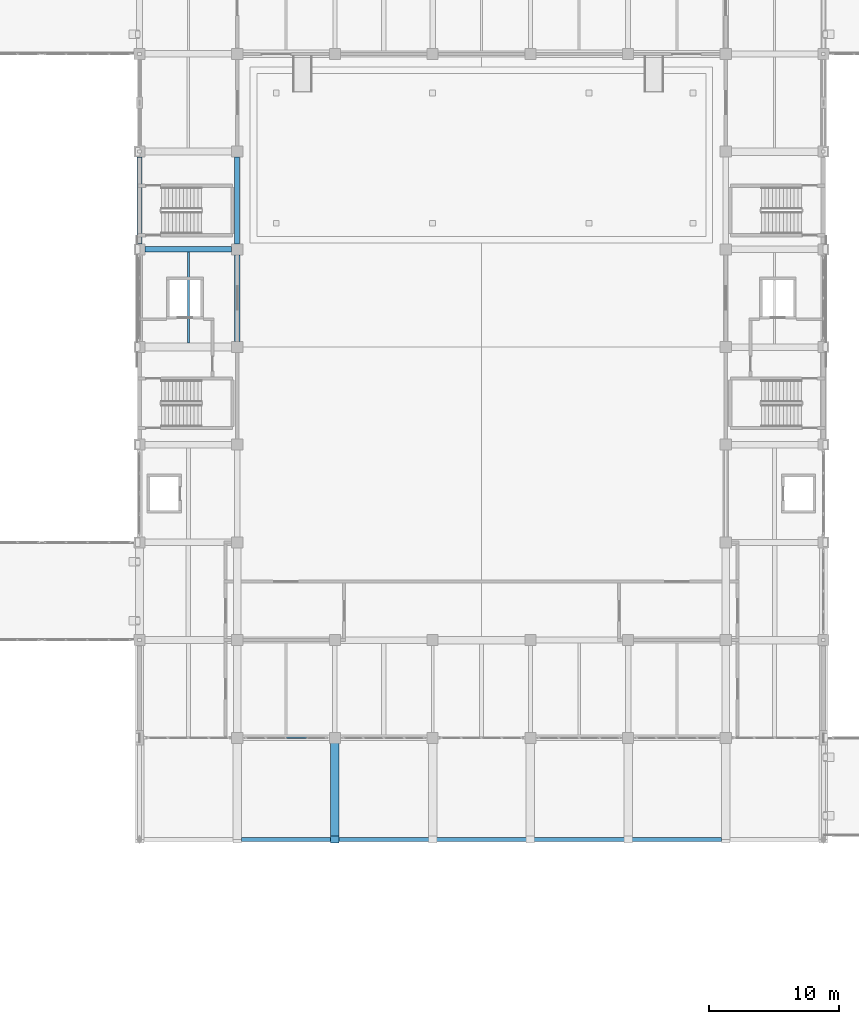
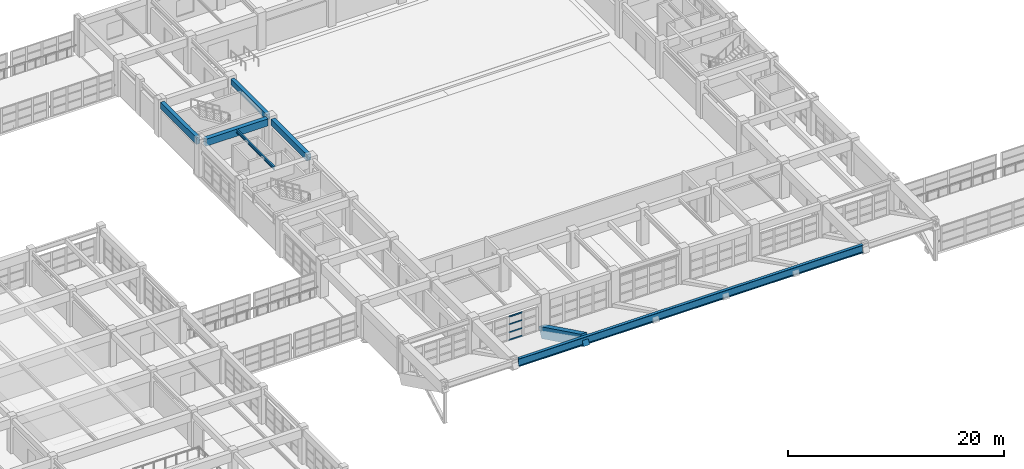
# One storey, part 29 of 132: 7 beams, 4 members, 1 element without a shape of its own.
"""IFC4 building model written with IfcOpenShell, lengths in metres."""

from ifc_helpers import new_model, si_unit, direction, frame, origin, origin_2d, place, context, subcontext, project, spatial, rectangle, hollow_rectangle, i_section, extrude, material, material_profile, profile_set, type_object, element, aggregate, save


model = new_model("IFC4")

# Units and contexts
model_context = context("Model", 3, precision=1e-05, world=origin(), true_north=direction((0.0, 1.0)))
body_context = subcontext(model_context, "Body", "Model", "MODEL_VIEW")
ifc_project = project(units=[si_unit("LENGTHUNIT", "METRE"), si_unit("AREAUNIT", "SQUARE_METRE"), si_unit("VOLUMEUNIT", "CUBIC_METRE"), si_unit("PLANEANGLEUNIT", "RADIAN"), si_unit("MASSUNIT", "GRAM", prefix="KILO")], contexts=[model_context])

# Site, building, storey
site_placement = place(None, origin())
site = spatial("IfcSite", under=ifc_project, at=site_placement, CompositionType="ELEMENT")
building_placement = place(site_placement, origin())
building = spatial("IfcBuilding", under=site, at=building_placement, Name="Qasida Concert Hall", CompositionType="ELEMENT")
storey_placement = place(building_placement, frame((0.0, 0.0, 4.800048828125)))
storey = spatial("IfcBuildingStorey", under=building, at=storey_placement, Name="L01", CompositionType="ELEMENT", Elevation=4.800048828125)

# Beams
ifc_material_1 = material(Name="Concrete C40/50", Category="concrete")
ifc_material_profile_1 = material_profile(ifc_material_1, rectangle(XDim=0.3798828125, YDim=0.6201171875, at=origin_2d()), Name="RC 380x620")
ifc_profile_set_1 = profile_set([ifc_material_profile_1], Name="Concrete C40/50")
beam_type_1 = type_object("IfcBeamType", Name="BM-B10", PredefinedType="BEAM", material=ifc_profile_set_1)
beam_1_placement = place(storey_placement, frame((60.0, 60.425048828125, 3.60986328125), z_axis=(0.0, 1.0, 0.0), x_axis=(-1.0, 0.0, 0.0)))
element("IfcBeam", 1, at=beam_1_placement, inside=storey, type_object=beam_type_1, Name="L01 girder 0807", PredefinedType="BEAM", context=body_context, shape_type="SweptSolid", body=[
    extrude(rectangle(XDim=0.3798828125, YDim=0.6201171875, at=origin_2d()), origin(), (0.0, 0.0, 1.0), 6.64990234375),
])
ifc_material_profile_2 = material_profile(ifc_material_1, rectangle(XDim=0.419921875, YDim=0.699951171875, at=origin_2d()), Name="RC 420x700")
ifc_profile_set_2 = profile_set([ifc_material_profile_2], Name="Concrete C40/50")
beam_type_2 = type_object("IfcBeamType", Name="BM-B11", PredefinedType="BEAM", material=ifc_profile_set_2)
beam_2_placement = place(storey_placement, frame((60.0, 52.925048828125, 3.570068359375), z_axis=(0.0, 1.0, 0.0), x_axis=(-1.0, 0.0, 0.0)))
element("IfcBeam", 2, at=beam_2_placement, inside=storey, type_object=beam_type_2, Name="L01 girder 0806", PredefinedType="BEAM", context=body_context, shape_type="SweptSolid", body=[
    extrude(rectangle(XDim=0.419921875, YDim=0.699951171875, at=origin_2d()), origin(), (0.0, 0.0, 1.0), 6.64990234375),
])
ifc_material_2 = material(Name="Steel S355J2", Category="steel")
ifc_material_profile_3 = material_profile(ifc_material_2, i_section(OverallWidth=0.300048828125, OverallDepth=0.89990234375, WebThickness=0.0185546875, FlangeThickness=0.034912109375, FilletRadius=0.030029296875, at=origin_2d()), Name="HEB 900")
ifc_profile_set_3 = profile_set([ifc_material_profile_3], Name="Steel S355J2")
beam_type_3 = type_object("IfcBeamType", Name="BM-B9", PredefinedType="BEAM", material=ifc_profile_set_3)
beam_3_placement = place(storey_placement, frame((60.324951171875, 14.699951171875, 3.469970703125), z_axis=(1.0, 0.0, 0.0), x_axis=(0.0, 1.0, 0.0)))
element("IfcBeam", 3, at=beam_3_placement, inside=storey, type_object=beam_type_3, Name="Front overhang fascia beam 006", PredefinedType="BEAM", context=body_context, shape_type="SweptSolid", body=[
    extrude(i_section(OverallWidth=0.300048828125, OverallDepth=0.89990234375, WebThickness=0.0185546875, FlangeThickness=0.034912109375, FilletRadius=0.030029296875, at=origin_2d()), origin(), (0.0, 0.0, 1.0), 36.85009765625),
])
ifc_material_3 = material(Name="Concrete C50/60", Category="concrete")
ifc_material_profile_4 = material_profile(ifc_material_3, rectangle(XDim=0.64990234375, YDim=1.199951171875, at=origin_2d()), Name="RC 650x1200")
ifc_profile_set_4 = profile_set([ifc_material_profile_4], Name="Concrete C50/60")
beam_type_4 = type_object("IfcBeamType", Name="BM-CG-1200", PredefinedType="USERDEFINED", material=ifc_profile_set_4)
beam_4_placement = place(storey_placement, frame((67.5, 22.5, -0.300048828125), z_axis=(0.0, -0.898079250291, 0.439833673332), x_axis=(1.0, 0.0, 0.0)))
element("IfcBeam", 4, at=beam_4_placement, inside=storey, type_object=beam_type_4, Name="Upward-raked entrance soffit girder CGRK-675", ObjectType="GIRDER", PredefinedType="USERDEFINED", context=body_context, shape_type="SweptSolid", body=[
    extrude(rectangle(XDim=0.64990234375, YDim=1.199951171875, at=origin_2d()), origin(), (0.0, 0.0, 1.0), 8.685302734375),
])
ifc_material_profile_5 = material_profile(ifc_material_1, rectangle(XDim=0.449951171875, YDim=0.800048828125, at=origin_2d()), Name="RC 450x800")
ifc_profile_set_5 = profile_set([ifc_material_profile_5], Name="Concrete C40/50")
beam_type_5 = type_object("IfcBeamType", Name="BM-G2", PredefinedType="USERDEFINED", material=ifc_profile_set_5)
beam_5_placement = place(storey_placement, frame((52.925048828125, 60.0, 3.52001953125), z_axis=(1.0, 0.0, 0.0), x_axis=(0.0, 1.0, 0.0)))
element("IfcBeam", 5, at=beam_5_placement, inside=storey, type_object=beam_type_5, Name="Primary girder 0780", ObjectType="GIRDER", PredefinedType="USERDEFINED", context=body_context, shape_type="SweptSolid", body=[
    extrude(rectangle(XDim=0.449951171875, YDim=0.800048828125, at=origin_2d()), origin(), (0.0, 0.0, 1.0), 6.64990234375),
])
ifc_material_profile_6 = material_profile(ifc_material_2, i_section(OverallWidth=0.169921875, OverallDepth=0.360107421875, WebThickness=0.008056640625, FlangeThickness=0.0126953125, FilletRadius=0.01806640625, at=origin_2d()), Name="IPE 360")
ifc_profile_set_6 = profile_set([ifc_material_profile_6], Name="Steel S355J2")
beam_type_6 = type_object("IfcBeamType", Name="BM-J2", PredefinedType="JOIST", material=ifc_profile_set_6)
beam_6_placement = place(storey_placement, frame((56.25, 52.7900390625, 3.739990234375), z_axis=(0.0, 1.0, 0.0), x_axis=(-1.0, 0.0, 0.0)))
element("IfcBeam", 6, at=beam_6_placement, inside=storey, type_object=beam_type_6, Name="L01 secondary joist 0833", PredefinedType="JOIST", context=body_context, shape_type="SweptSolid", body=[
    extrude(i_section(OverallWidth=0.169921875, OverallDepth=0.360107421875, WebThickness=0.008056640625, FlangeThickness=0.0126953125, FilletRadius=0.01806640625, at=origin_2d()), origin(), (0.0, 0.0, 1.0), 6.98486328125),
])
ifc_material_profile_7 = material_profile(ifc_material_1, rectangle(XDim=0.39990234375, YDim=0.75, at=origin_2d()), Name="RC 400x750")
ifc_profile_set_7 = profile_set([ifc_material_profile_7], Name="Concrete C40/50")
beam_type_7 = type_object("IfcBeamType", Name="BM-SP1", PredefinedType="SPANDREL", material=ifc_profile_set_7)
beam_7_placement = place(storey_placement, frame((52.5, 60.425048828125, 3.544921875), z_axis=(0.0, 1.0, 0.0), x_axis=(-1.0, 0.0, 0.0)))
element("IfcBeam", 7, at=beam_7_placement, inside=storey, type_object=beam_type_7, Name="L01 girder 0801", PredefinedType="SPANDREL", context=body_context, shape_type="SweptSolid", body=[
    extrude(rectangle(XDim=0.39990234375, YDim=0.75, at=origin_2d()), origin(), (0.0, 0.0, 1.0), 6.64990234375),
])

# Curtain wall, members
ifc_material_4 = material(Name="Architectural bronze-anodized aluminium and low-E glass", Category="aluminium")
curtain_wall_type = type_object("IfcCurtainWallType", Name="CW-02", PredefinedType="NOTDEFINED", material=ifc_material_4)
curtain_wall_placement = place(storey_placement, origin())
curtain_wall = element("IfcCurtainWall", 8, at=curtain_wall_placement, inside=storey, type_object=curtain_wall_type, Name="L01 curtain wall CW-02 0002", PredefinedType="NOTDEFINED")
ifc_material_5 = material(Name="Architectural bronze-anodized aluminium EN AW-6063", Category="aluminium")
ifc_material_profile_8 = material_profile(ifc_material_5, hollow_rectangle(XDim=0.06494140625, YDim=0.14990234375, WallThickness=0.00390625, InnerFilletRadius=0.00390625, OuterFilletRadius=0.008056640625, at=origin_2d()), Name="CWT 150x65x4")
ifc_profile_set_8 = profile_set([ifc_material_profile_8], Name="Architectural bronze-anodized aluminium EN AW-6063")
member_type = type_object("IfcMemberType", Name="MB-CWT-1", PredefinedType="USERDEFINED", material=ifc_profile_set_8)
member_1_placement = place(storey_placement, frame((63.784912109375, 22.5, 0.032470703125), z_axis=(1.0, 0.0, 0.0), x_axis=(0.0, 1.0, 0.0)))
member_1 = element("IfcMember", 9, at=member_1_placement, type_object=member_type, Name="CW-02 transom 3.1", ObjectType="TRANSOM", PredefinedType="USERDEFINED", context=body_context, shape_type="SweptSolid", body=[
    extrude(hollow_rectangle(XDim=0.06494140625, YDim=0.14990234375, WallThickness=0.00390625, InnerFilletRadius=0.00390625, OuterFilletRadius=0.008056640625, at=origin_2d()), origin(), (0.0, 0.0, 1.0), 1.4951171875),
])
member_2_placement = place(storey_placement, frame((63.784912109375, 22.5, 0.896728515625), z_axis=(1.0, 0.0, 0.0), x_axis=(0.0, 1.0, 0.0)))
member_2 = element("IfcMember", 10, at=member_2_placement, type_object=member_type, Name="CW-02 transom 3.2", ObjectType="TRANSOM", PredefinedType="USERDEFINED", context=body_context, shape_type="SweptSolid", body=[
    extrude(hollow_rectangle(XDim=0.06494140625, YDim=0.14990234375, WallThickness=0.00390625, InnerFilletRadius=0.00390625, OuterFilletRadius=0.008056640625, at=origin_2d()), origin(), (0.0, 0.0, 1.0), 1.4951171875),
])
member_3_placement = place(storey_placement, frame((63.784912109375, 22.5, 1.793212890625), z_axis=(1.0, 0.0, 0.0), x_axis=(0.0, 1.0, 0.0)))
member_3 = element("IfcMember", 11, at=member_3_placement, type_object=member_type, Name="CW-02 transom 3.3", ObjectType="TRANSOM", PredefinedType="USERDEFINED", context=body_context, shape_type="SweptSolid", body=[
    extrude(hollow_rectangle(XDim=0.06494140625, YDim=0.14990234375, WallThickness=0.00390625, InnerFilletRadius=0.00390625, OuterFilletRadius=0.008056640625, at=origin_2d()), origin(), (0.0, 0.0, 1.0), 1.4951171875),
])
member_4_placement = place(storey_placement, frame((63.784912109375, 22.5, 2.657470703125), z_axis=(1.0, 0.0, 0.0), x_axis=(0.0, 1.0, 0.0)))
member_4 = element("IfcMember", 12, at=member_4_placement, type_object=member_type, Name="CW-02 transom 3.4", ObjectType="TRANSOM", PredefinedType="USERDEFINED", context=body_context, shape_type="SweptSolid", body=[
    extrude(hollow_rectangle(XDim=0.06494140625, YDim=0.14990234375, WallThickness=0.00390625, InnerFilletRadius=0.00390625, OuterFilletRadius=0.008056640625, at=origin_2d()), origin(), (0.0, 0.0, 1.0), 1.4951171875),
])
aggregate(curtain_wall, [member_1, member_2, member_3, member_4])

save(model, "model.ifc")
